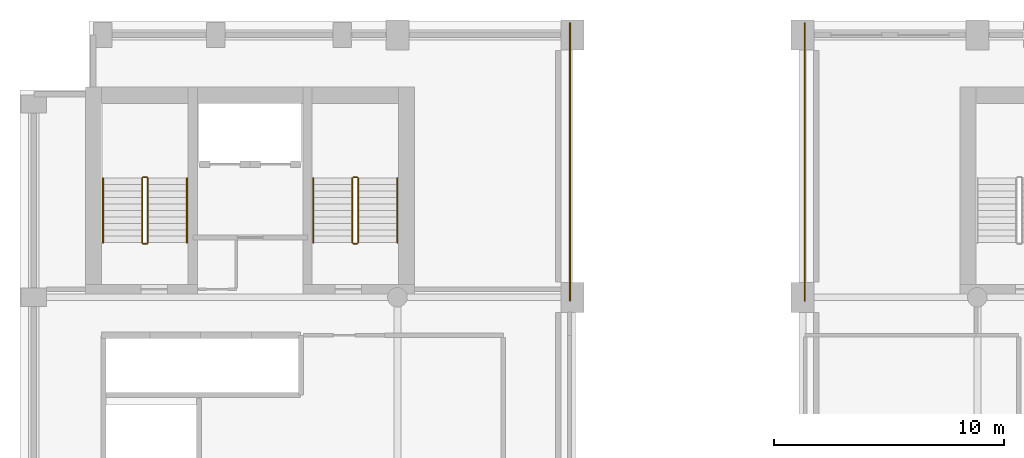
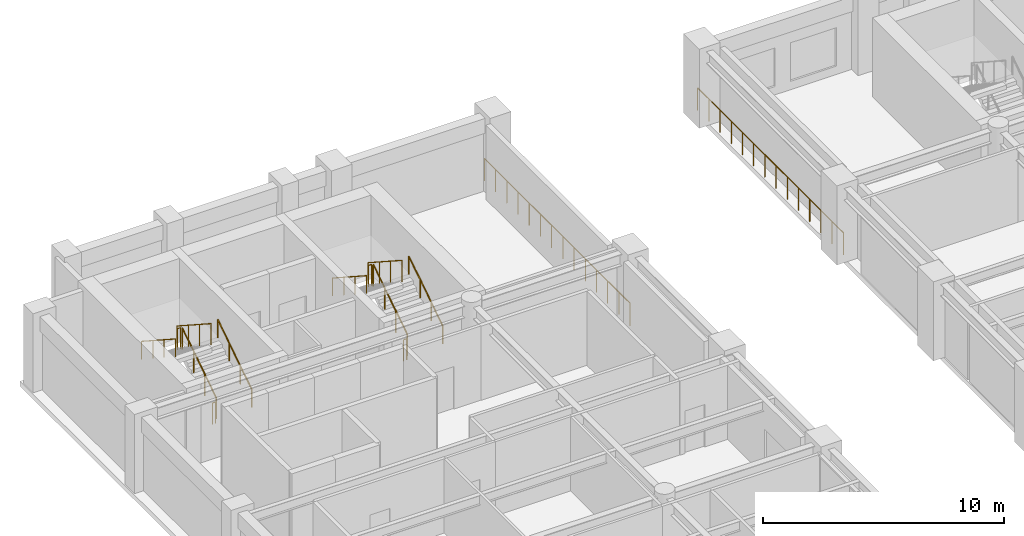
# One storey, part 9 of 10: 14 railings.
"""IFC4 building model written with IfcOpenShell, lengths in metres."""

from ifc_helpers import new_model, si_unit, direction, frame, origin, origin_2d, place, context, subcontext, project, spatial, circle, extrude, material, type_object, element, save


model = new_model("IFC4")

# Units and contexts
model_context = context("Model", 3, precision=1e-05, world=origin(), true_north=direction((0.0, 1.0)))
body_context = subcontext(model_context, "Body", "Model", "MODEL_VIEW")
ifc_project = project(units=[si_unit("LENGTHUNIT", "METRE"), si_unit("AREAUNIT", "SQUARE_METRE"), si_unit("VOLUMEUNIT", "CUBIC_METRE"), si_unit("PLANEANGLEUNIT", "RADIAN"), si_unit("MASSUNIT", "GRAM", prefix="KILO")], contexts=[model_context])

# Site, building, storey
site_placement = place(None, origin())
site = spatial("IfcSite", under=ifc_project, at=site_placement, CompositionType="ELEMENT")
building_placement = place(site_placement, origin())
building = spatial("IfcBuilding", under=site, at=building_placement, Name="Sulina Concourse Tower", CompositionType="ELEMENT")
storey_placement = place(building_placement, frame((0.0, 0.0, 190.60009765625)))
storey = spatial("IfcBuildingStorey", under=building, at=storey_placement, Name="L46", CompositionType="ELEMENT", Elevation=190.60009765625)

# Railings
ifc_material_1 = material(Name="Galvanised steel railing", Category="steel")
railing_type_1 = type_object("IfcRailingType", Name="Core Stair Steel Guardrail 1150mm", PredefinedType="GUARDRAIL", material=ifc_material_1)
railing_1_placement = place(storey_placement, frame((23.89990234375, 33.85009765625, 0.0)))
element("IfcRailing", 1, at=railing_1_placement, inside=storey, type_object=railing_type_1, Name="L46 perimeter edge safety guardrail PFLW", PredefinedType="GUARDRAIL", context=body_context, shape_type="SweptSolid", body=[
    extrude(circle(Radius=0.02392578125, at=origin_2d()), frame((0.0, 0.0, 1.1259765625), z_axis=(0.0, 1.0, 0.0), x_axis=(-1.0, 0.0, 0.0)), (0.0, 0.0, 1.0), 12.06982421875),
    extrude(circle(Radius=0.02099609375, at=origin_2d()), origin(), (0.0, 0.0, 1.0), 1.101806640625),
    extrude(circle(Radius=0.02099609375, at=origin_2d()), frame((0.0, 0.928466796875, 0.0)), (0.0, 0.0, 1.0), 1.101806640625),
    extrude(circle(Radius=0.02099609375, at=origin_2d()), frame((0.0, 1.85693359375, 0.0)), (0.0, 0.0, 1.0), 1.101806640625),
    extrude(circle(Radius=0.02099609375, at=origin_2d()), frame((0.0, 2.785400390625, 0.0)), (0.0, 0.0, 1.0), 1.101806640625),
    extrude(circle(Radius=0.02099609375, at=origin_2d()), frame((0.0, 3.7138671875, 0.0)), (0.0, 0.0, 1.0), 1.101806640625),
    extrude(circle(Radius=0.02099609375, at=origin_2d()), frame((0.0, 4.642333984375, 0.0)), (0.0, 0.0, 1.0), 1.101806640625),
    extrude(circle(Radius=0.02099609375, at=origin_2d()), frame((0.0, 5.57080078125, 0.0)), (0.0, 0.0, 1.0), 1.101806640625),
    extrude(circle(Radius=0.02099609375, at=origin_2d()), frame((0.0, 6.4990234375, 0.0)), (0.0, 0.0, 1.0), 1.101806640625),
    extrude(circle(Radius=0.02099609375, at=origin_2d()), frame((0.0, 7.427490234375, 0.0)), (0.0, 0.0, 1.0), 1.101806640625),
    extrude(circle(Radius=0.02099609375, at=origin_2d()), frame((0.0, 8.35595703125, 0.0)), (0.0, 0.0, 1.0), 1.101806640625),
    extrude(circle(Radius=0.02099609375, at=origin_2d()), frame((0.0, 9.284423828125, 0.0)), (0.0, 0.0, 1.0), 1.101806640625),
    extrude(circle(Radius=0.02099609375, at=origin_2d()), frame((0.0, 10.212890625, 0.0)), (0.0, 0.0, 1.0), 1.101806640625),
    extrude(circle(Radius=0.02099609375, at=origin_2d()), frame((0.0, 11.141357421875, 0.0)), (0.0, 0.0, 1.0), 1.101806640625),
    extrude(circle(Radius=0.02099609375, at=origin_2d()), frame((0.0, 12.06982421875, 0.0)), (0.0, 0.0, 1.0), 1.101806640625),
])
railing_2_placement = place(storey_placement, frame((34.10009765625, 33.85009765625, 0.0)))
element("IfcRailing", 2, at=railing_2_placement, inside=storey, type_object=railing_type_1, Name="L46 perimeter edge safety guardrail PFLE", PredefinedType="GUARDRAIL", context=body_context, shape_type="SweptSolid", body=[
    extrude(circle(Radius=0.02392578125, at=origin_2d()), frame((0.0, 0.0, 1.1259765625), z_axis=(0.0, 1.0, 0.0), x_axis=(-1.0, 0.0, 0.0)), (0.0, 0.0, 1.0), 12.06982421875),
    extrude(circle(Radius=0.02099609375, at=origin_2d()), origin(), (0.0, 0.0, 1.0), 1.101806640625),
    extrude(circle(Radius=0.02099609375, at=origin_2d()), frame((0.0, 0.928466796875, 0.0)), (0.0, 0.0, 1.0), 1.101806640625),
    extrude(circle(Radius=0.02099609375, at=origin_2d()), frame((0.0, 1.85693359375, 0.0)), (0.0, 0.0, 1.0), 1.101806640625),
    extrude(circle(Radius=0.02099609375, at=origin_2d()), frame((0.0, 2.785400390625, 0.0)), (0.0, 0.0, 1.0), 1.101806640625),
    extrude(circle(Radius=0.02099609375, at=origin_2d()), frame((0.0, 3.7138671875, 0.0)), (0.0, 0.0, 1.0), 1.101806640625),
    extrude(circle(Radius=0.02099609375, at=origin_2d()), frame((0.0, 4.642333984375, 0.0)), (0.0, 0.0, 1.0), 1.101806640625),
    extrude(circle(Radius=0.02099609375, at=origin_2d()), frame((0.0, 5.57080078125, 0.0)), (0.0, 0.0, 1.0), 1.101806640625),
    extrude(circle(Radius=0.02099609375, at=origin_2d()), frame((0.0, 6.4990234375, 0.0)), (0.0, 0.0, 1.0), 1.101806640625),
    extrude(circle(Radius=0.02099609375, at=origin_2d()), frame((0.0, 7.427490234375, 0.0)), (0.0, 0.0, 1.0), 1.101806640625),
    extrude(circle(Radius=0.02099609375, at=origin_2d()), frame((0.0, 8.35595703125, 0.0)), (0.0, 0.0, 1.0), 1.101806640625),
    extrude(circle(Radius=0.02099609375, at=origin_2d()), frame((0.0, 9.284423828125, 0.0)), (0.0, 0.0, 1.0), 1.101806640625),
    extrude(circle(Radius=0.02099609375, at=origin_2d()), frame((0.0, 10.212890625, 0.0)), (0.0, 0.0, 1.0), 1.101806640625),
    extrude(circle(Radius=0.02099609375, at=origin_2d()), frame((0.0, 11.141357421875, 0.0)), (0.0, 0.0, 1.0), 1.101806640625),
    extrude(circle(Radius=0.02099609375, at=origin_2d()), frame((0.0, 12.06982421875, 0.0)), (0.0, 0.0, 1.0), 1.101806640625),
])
railing_3_placement = place(storey_placement, frame((5.554931640625, 36.375, 0.181640625)))
element("IfcRailing", 3, at=railing_3_placement, inside=storey, type_object=railing_type_1, Name="L46 ST-1 stair guard 1", PredefinedType="GUARDRAIL", context=body_context, shape_type="SweptSolid", body=[
    extrude(circle(Radius=0.02392578125, at=origin_2d()), frame((0.0, 0.0, 1.076171875), z_axis=(0.0, 0.838672427954, 0.544636170843), x_axis=(-1.0, 0.0, 0.0)), (0.0, 0.0, 1.0), 3.338623046875),
    extrude(circle(Radius=0.02099609375, at=origin_2d()), origin(), (0.0, 0.0, 1.0), 1.052001953125),
    extrude(circle(Radius=0.02099609375, at=origin_2d()), frame((0.0, 0.933349609375, 0.606201171875)), (0.0, 0.0, 1.0), 1.052001953125),
    extrude(circle(Radius=0.02099609375, at=origin_2d()), frame((0.0, 1.86669921875, 1.212158203125)), (0.0, 0.0, 1.0), 1.052001953125),
    extrude(circle(Radius=0.02099609375, at=origin_2d()), frame((0.0, 2.800048828125, 1.818359375)), (0.0, 0.0, 1.0), 1.052001953125),
])
railing_4_placement = place(storey_placement, frame((5.5048828125, 39.22509765625, 2.0)))
element("IfcRailing", 4, at=railing_4_placement, inside=storey, type_object=railing_type_1, Name="L46 ST-1 stair guard 2", PredefinedType="GUARDRAIL", context=body_context, shape_type="SweptSolid", body=[
    extrude(circle(Radius=0.02392578125, at=origin_2d()), frame((0.0, 0.0, 1.076171875), z_axis=(-1.0, 0.0, 0.0), x_axis=(0.0, -1.0, 0.0)), (0.0, 0.0, 1.0), 0.14990234375),
    extrude(circle(Radius=0.02099609375, at=origin_2d()), origin(), (0.0, 0.0, 1.0), 1.052001953125),
    extrude(circle(Radius=0.02099609375, at=origin_2d()), frame((-0.14990234375, 0.0, 0.0)), (0.0, 0.0, 1.0), 1.052001953125),
])
railing_5_placement = place(storey_placement, frame((5.304931640625, 39.175048828125, 2.181640625)))
element("IfcRailing", 5, at=railing_5_placement, inside=storey, type_object=railing_type_1, Name="L46 ST-1 stair guard 3", PredefinedType="GUARDRAIL", context=body_context, shape_type="SweptSolid", body=[
    extrude(circle(Radius=0.02392578125, at=origin_2d()), frame((0.0, 0.0, 1.076171875), z_axis=(0.0, -0.838672427954, 0.544636170843), x_axis=(1.0, 0.0, 0.0)), (0.0, 0.0, 1.0), 3.338623046875),
    extrude(circle(Radius=0.02099609375, at=origin_2d()), origin(), (0.0, 0.0, 1.0), 1.052001953125),
    extrude(circle(Radius=0.02099609375, at=origin_2d()), frame((0.0, -0.933349609375, 0.606201171875)), (0.0, 0.0, 1.0), 1.052001953125),
    extrude(circle(Radius=0.02099609375, at=origin_2d()), frame((0.0, -1.86669921875, 1.212158203125)), (0.0, 0.0, 1.0), 1.052001953125),
    extrude(circle(Radius=0.02099609375, at=origin_2d()), frame((0.0, -2.800048828125, 1.818359375)), (0.0, 0.0, 1.0), 1.052001953125),
])
railing_6_placement = place(storey_placement, frame((5.5048828125, 36.324951171875, 0.0)))
element("IfcRailing", 6, at=railing_6_placement, inside=storey, type_object=railing_type_1, Name="L46 ST-1 stair guard 4", PredefinedType="GUARDRAIL", context=body_context, shape_type="SweptSolid", body=[
    extrude(circle(Radius=0.02392578125, at=origin_2d()), frame((0.0, 0.0, 1.076171875), z_axis=(-1.0, 0.0, 0.0), x_axis=(0.0, -1.0, 0.0)), (0.0, 0.0, 1.0), 0.14990234375),
    extrude(circle(Radius=0.02099609375, at=origin_2d()), origin(), (0.0, 0.0, 1.0), 1.052001953125),
    extrude(circle(Radius=0.02099609375, at=origin_2d()), frame((-0.14990234375, 0.0, 0.0)), (0.0, 0.0, 1.0), 1.052001953125),
])
railing_7_placement = place(storey_placement, frame((14.695068359375, 36.375, 0.181640625)))
element("IfcRailing", 7, at=railing_7_placement, inside=storey, type_object=railing_type_1, Name="L46 ST-2 stair guard 1", PredefinedType="GUARDRAIL", context=body_context, shape_type="SweptSolid", body=[
    extrude(circle(Radius=0.02392578125, at=origin_2d()), frame((0.0, 0.0, 1.076171875), z_axis=(0.0, 0.838672427954, 0.544636170843), x_axis=(-1.0, 0.0, 0.0)), (0.0, 0.0, 1.0), 3.338623046875),
    extrude(circle(Radius=0.02099609375, at=origin_2d()), origin(), (0.0, 0.0, 1.0), 1.052001953125),
    extrude(circle(Radius=0.02099609375, at=origin_2d()), frame((0.0, 0.933349609375, 0.606201171875)), (0.0, 0.0, 1.0), 1.052001953125),
    extrude(circle(Radius=0.02099609375, at=origin_2d()), frame((0.0, 1.86669921875, 1.212158203125)), (0.0, 0.0, 1.0), 1.052001953125),
    extrude(circle(Radius=0.02099609375, at=origin_2d()), frame((0.0, 2.800048828125, 1.818359375)), (0.0, 0.0, 1.0), 1.052001953125),
])
railing_8_placement = place(storey_placement, frame((14.64501953125, 39.22509765625, 2.0)))
element("IfcRailing", 8, at=railing_8_placement, inside=storey, type_object=railing_type_1, Name="L46 ST-2 stair guard 2", PredefinedType="GUARDRAIL", context=body_context, shape_type="SweptSolid", body=[
    extrude(circle(Radius=0.02392578125, at=origin_2d()), frame((0.0, 0.0, 1.076171875), z_axis=(-1.0, 0.0, 0.0), x_axis=(0.0, -1.0, 0.0)), (0.0, 0.0, 1.0), 0.14990234375),
    extrude(circle(Radius=0.02099609375, at=origin_2d()), origin(), (0.0, 0.0, 1.0), 1.052001953125),
    extrude(circle(Radius=0.02099609375, at=origin_2d()), frame((-0.14990234375, 0.0, 0.0)), (0.0, 0.0, 1.0), 1.052001953125),
])
railing_9_placement = place(storey_placement, frame((14.445068359375, 39.175048828125, 2.181640625)))
element("IfcRailing", 9, at=railing_9_placement, inside=storey, type_object=railing_type_1, Name="L46 ST-2 stair guard 3", PredefinedType="GUARDRAIL", context=body_context, shape_type="SweptSolid", body=[
    extrude(circle(Radius=0.02392578125, at=origin_2d()), frame((0.0, 0.0, 1.076171875), z_axis=(0.0, -0.838672427954, 0.544636170843), x_axis=(1.0, 0.0, 0.0)), (0.0, 0.0, 1.0), 3.338623046875),
    extrude(circle(Radius=0.02099609375, at=origin_2d()), origin(), (0.0, 0.0, 1.0), 1.052001953125),
    extrude(circle(Radius=0.02099609375, at=origin_2d()), frame((0.0, -0.933349609375, 0.606201171875)), (0.0, 0.0, 1.0), 1.052001953125),
    extrude(circle(Radius=0.02099609375, at=origin_2d()), frame((0.0, -1.86669921875, 1.212158203125)), (0.0, 0.0, 1.0), 1.052001953125),
    extrude(circle(Radius=0.02099609375, at=origin_2d()), frame((0.0, -2.800048828125, 1.818359375)), (0.0, 0.0, 1.0), 1.052001953125),
])
railing_10_placement = place(storey_placement, frame((14.64501953125, 36.324951171875, 0.0)))
element("IfcRailing", 10, at=railing_10_placement, inside=storey, type_object=railing_type_1, Name="L46 ST-2 stair guard 4", PredefinedType="GUARDRAIL", context=body_context, shape_type="SweptSolid", body=[
    extrude(circle(Radius=0.02392578125, at=origin_2d()), frame((0.0, 0.0, 1.076171875), z_axis=(-1.0, 0.0, 0.0), x_axis=(0.0, -1.0, 0.0)), (0.0, 0.0, 1.0), 0.14990234375),
    extrude(circle(Radius=0.02099609375, at=origin_2d()), origin(), (0.0, 0.0, 1.0), 1.052001953125),
    extrude(circle(Radius=0.02099609375, at=origin_2d()), frame((-0.14990234375, 0.0, 0.0)), (0.0, 0.0, 1.0), 1.052001953125),
])
ifc_material_2 = material(Name="Galvanised steel railing", Category="steel")
railing_type_2 = type_object("IfcRailingType", Name="Stair Wall Steel Handrail 920mm", PredefinedType="HANDRAIL", material=ifc_material_2)
railing_11_placement = place(storey_placement, frame((7.2548828125, 36.375, 0.181640625)))
element("IfcRailing", 11, at=railing_11_placement, inside=storey, type_object=railing_type_2, Name="L46 ST-1 stair handrail 1", PredefinedType="HANDRAIL", context=body_context, shape_type="SweptSolid", body=[
    extrude(circle(Radius=0.02392578125, at=origin_2d()), frame((0.0, 0.0, 0.89599609375), z_axis=(0.0, 0.838672427954, 0.544636170843), x_axis=(-1.0, 0.0, 0.0)), (0.0, 0.0, 1.0), 3.338623046875),
    extrude(circle(Radius=0.02099609375, at=origin_2d()), origin(), (0.0, 0.0, 1.0), 0.871826171875),
    extrude(circle(Radius=0.02099609375, at=origin_2d()), frame((0.0, 0.933349609375, 0.606201171875)), (0.0, 0.0, 1.0), 0.871826171875),
    extrude(circle(Radius=0.02099609375, at=origin_2d()), frame((0.0, 1.86669921875, 1.212158203125)), (0.0, 0.0, 1.0), 0.871826171875),
    extrude(circle(Radius=0.02099609375, at=origin_2d()), frame((0.0, 2.800048828125, 1.818359375)), (0.0, 0.0, 1.0), 0.871826171875),
])
railing_12_placement = place(storey_placement, frame((3.60498046875, 39.175048828125, 2.181640625)))
element("IfcRailing", 12, at=railing_12_placement, inside=storey, type_object=railing_type_2, Name="L46 ST-1 stair handrail 2", PredefinedType="HANDRAIL", context=body_context, shape_type="SweptSolid", body=[
    extrude(circle(Radius=0.02392578125, at=origin_2d()), frame((0.0, 0.0, 0.89599609375), z_axis=(0.0, -0.838672427954, 0.544636170843), x_axis=(1.0, 0.0, 0.0)), (0.0, 0.0, 1.0), 3.338623046875),
    extrude(circle(Radius=0.02099609375, at=origin_2d()), origin(), (0.0, 0.0, 1.0), 0.871826171875),
    extrude(circle(Radius=0.02099609375, at=origin_2d()), frame((0.0, -0.933349609375, 0.606201171875)), (0.0, 0.0, 1.0), 0.871826171875),
    extrude(circle(Radius=0.02099609375, at=origin_2d()), frame((0.0, -1.86669921875, 1.212158203125)), (0.0, 0.0, 1.0), 0.871826171875),
    extrude(circle(Radius=0.02099609375, at=origin_2d()), frame((0.0, -2.800048828125, 1.818359375)), (0.0, 0.0, 1.0), 0.871826171875),
])
railing_13_placement = place(storey_placement, frame((16.39501953125, 36.375, 0.181640625)))
element("IfcRailing", 13, at=railing_13_placement, inside=storey, type_object=railing_type_2, Name="L46 ST-2 stair handrail 1", PredefinedType="HANDRAIL", context=body_context, shape_type="SweptSolid", body=[
    extrude(circle(Radius=0.02392578125, at=origin_2d()), frame((0.0, 0.0, 0.89599609375), z_axis=(0.0, 0.838672427954, 0.544636170843), x_axis=(-1.0, 0.0, 0.0)), (0.0, 0.0, 1.0), 3.338623046875),
    extrude(circle(Radius=0.02099609375, at=origin_2d()), origin(), (0.0, 0.0, 1.0), 0.871826171875),
    extrude(circle(Radius=0.02099609375, at=origin_2d()), frame((0.0, 0.933349609375, 0.606201171875)), (0.0, 0.0, 1.0), 0.871826171875),
    extrude(circle(Radius=0.02099609375, at=origin_2d()), frame((0.0, 1.86669921875, 1.212158203125)), (0.0, 0.0, 1.0), 0.871826171875),
    extrude(circle(Radius=0.02099609375, at=origin_2d()), frame((0.0, 2.800048828125, 1.818359375)), (0.0, 0.0, 1.0), 0.871826171875),
])
railing_14_placement = place(storey_placement, frame((12.7451171875, 39.175048828125, 2.181640625)))
element("IfcRailing", 14, at=railing_14_placement, inside=storey, type_object=railing_type_2, Name="L46 ST-2 stair handrail 2", PredefinedType="HANDRAIL", context=body_context, shape_type="SweptSolid", body=[
    extrude(circle(Radius=0.02392578125, at=origin_2d()), frame((0.0, 0.0, 0.89599609375), z_axis=(0.0, -0.838672427954, 0.544636170843), x_axis=(1.0, 0.0, 0.0)), (0.0, 0.0, 1.0), 3.338623046875),
    extrude(circle(Radius=0.02099609375, at=origin_2d()), origin(), (0.0, 0.0, 1.0), 0.871826171875),
    extrude(circle(Radius=0.02099609375, at=origin_2d()), frame((0.0, -0.933349609375, 0.606201171875)), (0.0, 0.0, 1.0), 0.871826171875),
    extrude(circle(Radius=0.02099609375, at=origin_2d()), frame((0.0, -1.86669921875, 1.212158203125)), (0.0, 0.0, 1.0), 0.871826171875),
    extrude(circle(Radius=0.02099609375, at=origin_2d()), frame((0.0, -2.800048828125, 1.818359375)), (0.0, 0.0, 1.0), 0.871826171875),
])

save(model, "model.ifc")
